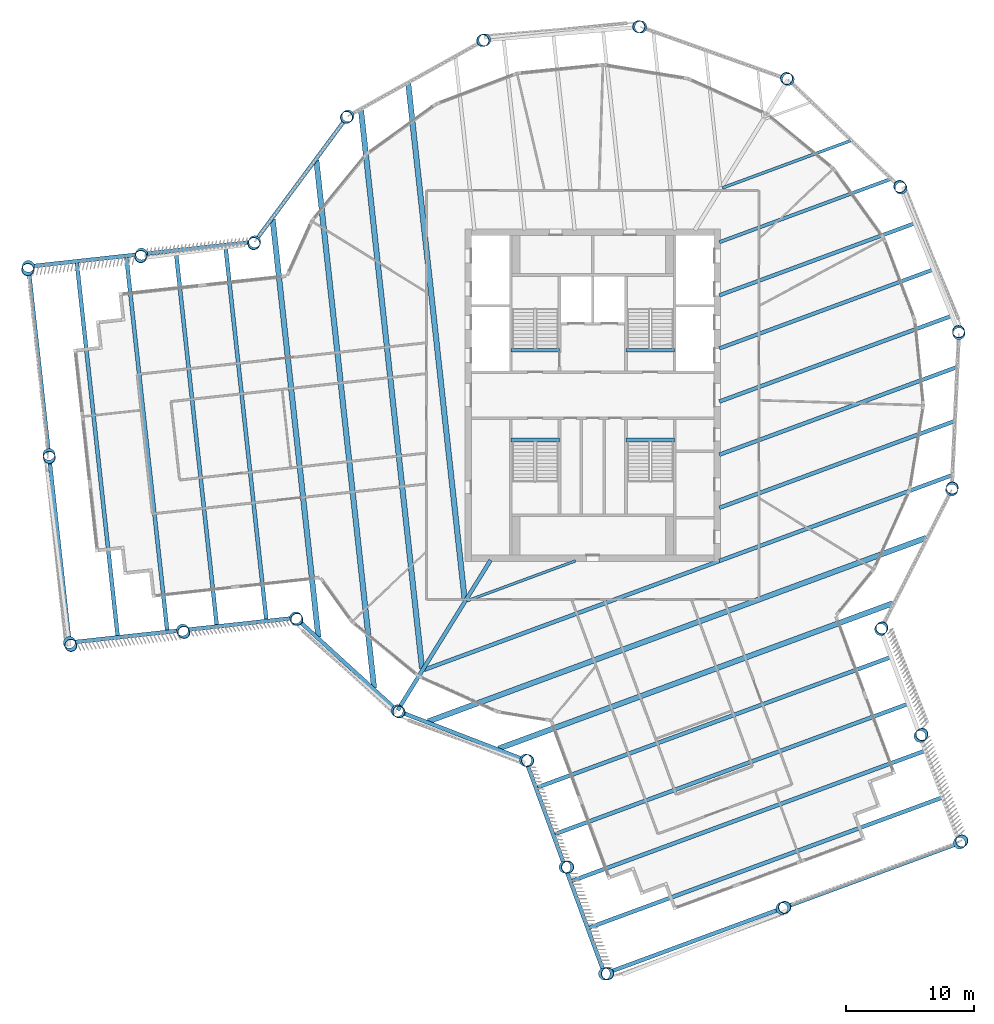
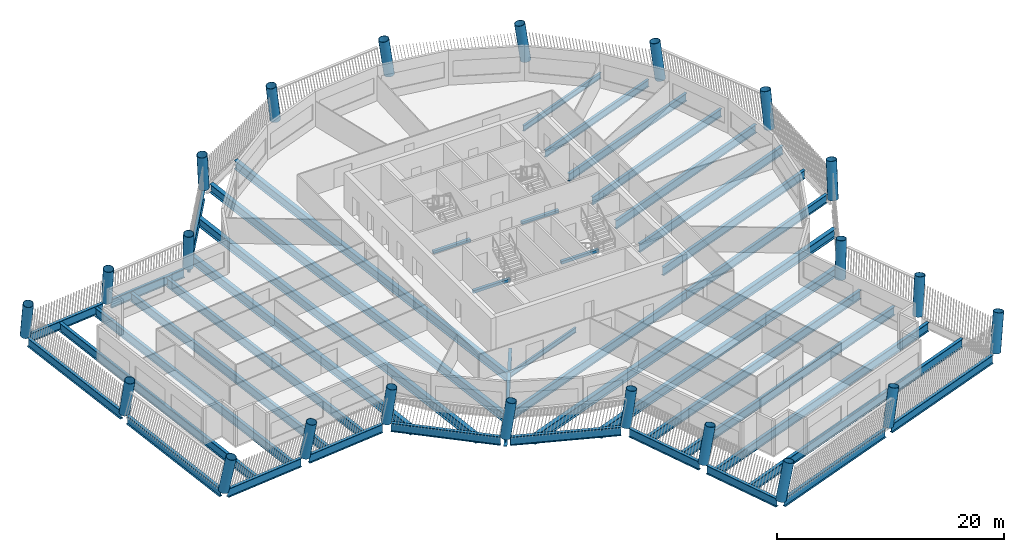
# One storey, part 1 of 14: 42 beams, 22 columns.
"""IFC4 building model written with IfcOpenShell, lengths in metres."""

from ifc_helpers import new_model, si_unit, direction, frame, origin, origin_2d, place, context, subcontext, project, spatial, rectangle, hollow_circle, i_section, extrude, material, material_profile, profile_set, type_object, element, save


model = new_model("IFC4")

# Units and contexts
model_context = context("Model", 3, precision=1e-05, world=origin(), true_north=direction((0.0, 1.0)))
body_context = subcontext(model_context, "Body", "Model", "MODEL_VIEW")
ifc_project = project(units=[si_unit("LENGTHUNIT", "METRE"), si_unit("AREAUNIT", "SQUARE_METRE"), si_unit("VOLUMEUNIT", "CUBIC_METRE"), si_unit("PLANEANGLEUNIT", "RADIAN"), si_unit("MASSUNIT", "GRAM", prefix="KILO")], contexts=[model_context])

# Site, building, storey
site_placement = place(None, origin())
site = spatial("IfcSite", under=ifc_project, at=site_placement, CompositionType="ELEMENT")
building_placement = place(site_placement, origin())
building = spatial("IfcBuilding", under=site, at=building_placement, Name="Tarsis Ring Headquarters", CompositionType="ELEMENT")
storey_placement = place(building_placement, frame((0.0, 0.0, 311.89990234375)))
storey = spatial("IfcBuildingStorey", under=building, at=storey_placement, Name="L73", CompositionType="ELEMENT", Elevation=311.89990234375)

# Columns
ifc_material_1 = material(Name="Structural steel S355", Category="steel")
ifc_material_profile_1 = material_profile(ifc_material_1, hollow_circle(Radius=0.482666015625, WallThickness=0.0400390625, at=origin_2d()), Name="CHS 965x40")
ifc_profile_set_1 = profile_set([ifc_material_profile_1], Name="Structural steel S355")
column_type = type_object("IfcColumnType", Name="XC Exo column CHS 965x40", PredefinedType="COLUMN", material=ifc_profile_set_1)
for number, where, z_axis, x_axis, name in (
    (1, (-15.289794921875, -24.698974609375, 0.001220703125), (0.114523967876, -0.069459252061, 0.990989239641), (0.518579000322, 0.85502971903, 0.0), "Exo column XC7 F1"),
    (2, (-5.23876953125, -28.572265625, 0.001220703125), (0.13202721245, -0.022966651907, 0.99097999378), (0.171380269545, 0.985204954926, 0.0), "Exo column XC7 AK"),
):
    element("IfcColumn", number, at=place(storey_placement, frame(where, z_axis=z_axis, x_axis=x_axis)), inside=storey, type_object=column_type, Name=name, PredefinedType="COLUMN", context=body_context, shape_type="SweptSolid", body=[
        extrude(hollow_circle(Radius=0.482666015625, WallThickness=0.0400390625, at=origin_2d()), origin(), (0.0, 0.0, 1.0), 3.93310546875),
    ])
column_1_placement = place(storey_placement, frame((-2.158935546875, -36.9248046875, 0.00146484375), z_axis=(0.169466846815, -0.008334435089, 0.985500646891), x_axis=(0.0491209592, 0.998792837062, 0.0)))
element("IfcColumn", 3, at=column_1_placement, inside=storey, type_object=column_type, Name="Exo column XC7 AI1", PredefinedType="COLUMN", context=body_context, shape_type="SweptSolid", body=[
    extrude(hollow_circle(Radius=0.482666015625, WallThickness=0.0400390625, at=origin_2d()), origin(), (0.0, 0.0, 1.0), 3.95458984375),
])
column_2_placement = place(storey_placement, frame((0.9208984375, -45.27734375, 0.001708984375), z_axis=(0.206170436244, 0.00606924567, 0.978497274128), x_axis=(-0.029425254642, 0.999566983443, 0.0)))
element("IfcColumn", 4, at=column_2_placement, inside=storey, type_object=column_type, Name="Exo column XC7 AT1", PredefinedType="COLUMN", context=body_context, shape_type="SweptSolid", body=[
    extrude(hollow_circle(Radius=0.482666015625, WallThickness=0.0400390625, at=origin_2d()), origin(), (0.0, 0.0, 1.0), 3.982421875),
])
column_3_placement = place(storey_placement, frame((14.80712890625, -40.156982421875, 0.00146484375), z_axis=(0.182655364597, 0.069240698251, 0.980735817379), x_axis=(-0.354464599085, 0.935069434853, 0.0)))
element("IfcColumn", 5, at=column_3_placement, inside=storey, type_object=column_type, Name="Exo column XC7 AT2", PredefinedType="COLUMN", context=body_context, shape_type="SweptSolid", body=[
    extrude(hollow_circle(Radius=0.482666015625, WallThickness=0.0400390625, at=origin_2d()), origin(), (0.0, 0.0, 1.0), 3.973876953125),
])
column_4_placement = place(storey_placement, frame((28.693115234375, -35.036865234375, 0.001708984375), z_axis=(0.158412992733, 0.132113002841, 0.97849449575), x_axis=(-0.64047668606, 0.767977613354, 0.0)))
element("IfcColumn", 6, at=column_4_placement, inside=storey, type_object=column_type, Name="Exo column XC7 AT3", PredefinedType="COLUMN", context=body_context, shape_type="SweptSolid", body=[
    extrude(hollow_circle(Radius=0.482666015625, WallThickness=0.0400390625, at=origin_2d()), origin(), (0.0, 0.0, 1.0), 3.982421875),
])
column_5_placement = place(storey_placement, frame((25.61328125, -26.684326171875, 0.00146484375), z_axis=(0.121312745403, 0.118596327694, 0.985503997384), x_axis=(-0.699055616215, 0.715067301334, 0.0)))
element("IfcColumn", 7, at=column_5_placement, inside=storey, type_object=column_type, Name="Exo column XC7 AO1", PredefinedType="COLUMN", context=body_context, shape_type="SweptSolid", body=[
    extrude(hollow_circle(Radius=0.482666015625, WallThickness=0.0400390625, at=origin_2d()), origin(), (0.0, 0.0, 1.0), 3.95458984375),
])
for number, where, z_axis, x_axis, name in (
    (8, (22.533447265625, -18.331787109375, 0.001220703125), (0.083611675518, 0.104654257553, 0.990987676055), (-0.781275522827, 0.62418631628, 0.0), "Exo column XC7 AJ"),
    (9, (28.08642578125, -7.4140625, 0.001220703125), (0.033022419154, 0.129855076824, 0.990982935704), (-0.969153528763, 0.246457780737, 0.0), "Exo column XC7 R1"),
    (10, (28.6455078125, 4.822021484375, 0.001220703125), (-0.023463342072, 0.131903708741, 0.990984804727), (-0.984544759685, -0.175133138429, 0.0), "Exo column XC7 R2"),
    (11, (24.111328125, 16.20068359375, 0.001220703125), (-0.075727976715, 0.110550431581, 0.990981269056), (-0.825000363397, -0.565132197273, 0.0), "Exo column XC7 R3"),
    (12, (15.289794921875, 24.698974609375, 0.001220703125), (-0.114523967876, 0.069459252061, 0.990989239641), (-0.518579000322, -0.85502971903, 0.0), "Exo column XC7 R4"),
    (13, (3.75, 28.805419921875, 0.001220703125), (-0.1330207491, 0.016076702761, 0.990982855521), (-0.119985484067, -0.992775646162, 0.0), "Exo column XC7 R5"),
    (14, (-8.456787109375, 27.790283203125, 0.001220703125), (-0.127807037894, -0.040160832208, 0.990985604649), (0.299778403904, -0.954008861884, 0.0), "Exo column XC7 R6"),
    (15, (-19.15966796875, 21.833984375, 0.001220703125), (-0.099935626812, -0.089321345952, 0.990976572705), (0.666402199885, -0.745592454353, 0.0), "Exo column XC7 R7"),
    (16, (-26.4560546875, 11.995361328125, 0.001220703125), (-0.054251005979, -0.122530304123, 0.990980904418), (0.914383686778, -0.404848704277, 0.0), "Exo column XC7 BJ"),
):
    element("IfcColumn", number, at=place(storey_placement, frame(where, z_axis=z_axis, x_axis=x_axis)), inside=storey, type_object=column_type, Name=name, PredefinedType="COLUMN", context=body_context, shape_type="SweptSolid", body=[
        extrude(hollow_circle(Radius=0.482666015625, WallThickness=0.0400390625, at=origin_2d()), origin(), (0.0, 0.0, 1.0), 3.93310546875),
    ])
column_6_placement = place(storey_placement, frame((-35.3056640625, 11.027587890625, 0.00146484375), z_axis=(-0.049080966727, -0.162368481123, 0.985508769643), x_axis=(0.957223149807, -0.289350723991, 0.0)))
element("IfcColumn", 17, at=column_6_placement, inside=storey, type_object=column_type, Name="Exo column XC7 BO1", PredefinedType="COLUMN", context=body_context, shape_type="SweptSolid", body=[
    extrude(hollow_circle(Radius=0.482666015625, WallThickness=0.0400390625, at=origin_2d()), origin(), (0.0, 0.0, 1.0), 3.95458984375),
])
column_7_placement = place(storey_placement, frame((-44.1552734375, 10.059814453125, 0.001708984375), z_axis=(-0.04395668678, -0.20145282114, 0.978511405423), x_axis=(0.977012383652, -0.213182556019, 0.0)))
element("IfcColumn", 18, at=column_7_placement, inside=storey, type_object=column_type, Name="Exo column XC7 BT3", PredefinedType="COLUMN", context=body_context, shape_type="SweptSolid", body=[
    extrude(hollow_circle(Radius=0.482666015625, WallThickness=0.0400390625, at=origin_2d()), origin(), (0.0, 0.0, 1.0), 3.982421875),
])
column_8_placement = place(storey_placement, frame((-42.54638671875, -4.65234375, 0.00146484375), z_axis=(0.022977663294, -0.194019948345, 0.980728446938), x_axis=(0.993060156752, 0.117607504315, 0.0)))
element("IfcColumn", 19, at=column_8_placement, inside=storey, type_object=column_type, Name="Exo column XC7 BT2", PredefinedType="COLUMN", context=body_context, shape_type="SweptSolid", body=[
    extrude(hollow_circle(Radius=0.482666015625, WallThickness=0.0400390625, at=origin_2d()), origin(), (0.0, 0.0, 1.0), 3.973876953125),
])
column_9_placement = place(storey_placement, frame((-40.9375, -19.36474609375, 0.001708984375), z_axis=(0.089874155616, -0.185633658394, 0.978500271346), x_axis=(0.900061483372, 0.435762924248, 0.0)))
element("IfcColumn", 20, at=column_9_placement, inside=storey, type_object=column_type, Name="Exo column XC7 BT1", PredefinedType="COLUMN", context=body_context, shape_type="SweptSolid", body=[
    extrude(hollow_circle(Radius=0.482666015625, WallThickness=0.0400390625, at=origin_2d()), origin(), (0.0, 0.0, 1.0), 3.982421875),
])
column_10_placement = place(storey_placement, frame((-32.088134765625, -18.39697265625, 0.00146484375), z_axis=(0.085690392612, -0.146439201207, 0.98550125163), x_axis=(0.86309184337, 0.505046997722, 0.0)))
element("IfcColumn", 21, at=column_10_placement, inside=storey, type_object=column_type, Name="Exo column XC7 BI1", PredefinedType="COLUMN", context=body_context, shape_type="SweptSolid", body=[
    extrude(hollow_circle(Radius=0.482666015625, WallThickness=0.0400390625, at=origin_2d()), origin(), (0.0, 0.0, 1.0), 3.95458984375),
])
column_11_placement = place(storey_placement, frame((-23.23876953125, -17.42919921875, 0.001220703125), z_axis=(0.081376603972, -0.106453757293, 0.990982061333), x_axis=(0.794463011785, 0.60731254137, 0.0)))
element("IfcColumn", 22, at=column_11_placement, inside=storey, type_object=column_type, Name="Exo column XC7 BK", PredefinedType="COLUMN", context=body_context, shape_type="SweptSolid", body=[
    extrude(hollow_circle(Radius=0.482666015625, WallThickness=0.0400390625, at=origin_2d()), origin(), (0.0, 0.0, 1.0), 3.93310546875),
])

# Beams
ifc_material_profile_2 = material_profile(ifc_material_1, i_section(OverallWidth=0.209228515625, OverallDepth=0.533447265625, WebThickness=0.01025390625, FlangeThickness=0.015625, at=origin_2d()), Name="W21x62")
ifc_profile_set_2 = profile_set([ifc_material_profile_2], Name="Structural steel S355")
beam_type_1 = type_object("IfcBeamType", Name="FB Floor beam W21x62", PredefinedType="JOIST", material=ifc_profile_set_2)
beam_1_placement = place(storey_placement, frame((-9.860595703125, -16.105712890625, -0.426513671875), z_axis=(0.93825354519, 0.34594838479, 0.0), x_axis=(-0.34594838479, 0.93825354519, 0.0)))
element("IfcBeam", 23, at=beam_1_placement, inside=storey, type_object=beam_type_1, Name="Floor beam FB3", PredefinedType="JOIST", context=body_context, shape_type="SweptSolid", body=[
    extrude(i_section(OverallWidth=0.209228515625, OverallDepth=0.533447265625, WebThickness=0.01025390625, FlangeThickness=0.015625, at=origin_2d()), origin(), (0.0, 0.0, 1.0), 9.07763671875),
])
ifc_material_profile_3 = material_profile(ifc_material_1, i_section(OverallWidth=0.228271484375, OverallDepth=0.607177734375, WebThickness=0.01123046875, FlangeThickness=0.017333984375, at=origin_2d()), Name="W24x76")
ifc_profile_set_3 = profile_set([ifc_material_profile_3], Name="Structural steel S355")
beam_type_2 = type_object("IfcBeamType", Name="FB Floor beam W24x76", PredefinedType="JOIST", material=ifc_profile_set_3)
beam_2_placement = place(storey_placement, frame((10.145263671875, 16.210693359375, -0.46337890625), z_axis=(0.938247503033, 0.345964771405, 0.0), x_axis=(-0.345964771405, 0.938247503033, 0.0)))
element("IfcBeam", 24, at=beam_2_placement, inside=storey, type_object=beam_type_2, Name="Floor beam FB4", PredefinedType="JOIST", context=body_context, shape_type="SweptSolid", body=[
    extrude(i_section(OverallWidth=0.228271484375, OverallDepth=0.607177734375, WebThickness=0.01123046875, FlangeThickness=0.017333984375, at=origin_2d()), origin(), (0.0, 0.0, 1.0), 10.684814453125),
])
ifc_material_profile_4 = material_profile(ifc_material_1, i_section(OverallWidth=0.2666015625, OverallDepth=0.7568359375, WebThickness=0.013916015625, FlangeThickness=0.019287109375, at=origin_2d()), Name="W30x108")
ifc_profile_set_4 = profile_set([ifc_material_profile_4], Name="Structural steel S355")
beam_type_3 = type_object("IfcBeamType", Name="FB Floor beam W30x108", PredefinedType="JOIST", material=ifc_profile_set_4)
beam_3_placement = place(storey_placement, frame((9.90625, 11.966064453125, -0.538330078125), z_axis=(0.938251918092, 0.345952797642, 0.0), x_axis=(-0.345952797642, 0.938251918092, 0.0)))
element("IfcBeam", 25, at=beam_3_placement, inside=storey, type_object=beam_type_3, Name="Floor beam FB6", PredefinedType="JOIST", context=body_context, shape_type="SweptSolid", body=[
    extrude(i_section(OverallWidth=0.2666015625, OverallDepth=0.7568359375, WebThickness=0.013916015625, FlangeThickness=0.019287109375, at=origin_2d()), origin(), (0.0, 0.0, 1.0), 14.26513671875),
])
ifc_material_profile_5 = material_profile(ifc_material_1, i_section(OverallWidth=0.2919921875, OverallDepth=0.835693359375, WebThickness=0.013916015625, FlangeThickness=0.018798828125, at=origin_2d()), Name="W33x118")
ifc_profile_set_5 = profile_set([ifc_material_profile_5], Name="Structural steel S355")
beam_type_4 = type_object("IfcBeamType", Name="FB Floor beam W33x118", PredefinedType="JOIST", material=ifc_profile_set_5)
beam_4_placement = place(storey_placement, frame((9.90625, 7.809326171875, -0.57763671875), z_axis=(0.938253321566, 0.345948991285, 0.0), x_axis=(-0.345948991285, 0.938253321566, 0.0)))
element("IfcBeam", 26, at=beam_4_placement, inside=storey, type_object=beam_type_4, Name="Floor beam FB7", PredefinedType="JOIST", context=body_context, shape_type="SweptSolid", body=[
    extrude(i_section(OverallWidth=0.2919921875, OverallDepth=0.835693359375, WebThickness=0.013916015625, FlangeThickness=0.018798828125, at=origin_2d()), origin(), (0.0, 0.0, 1.0), 16.252685546875),
])
beam_5_placement = place(storey_placement, frame((9.90625, 3.652587890625, -0.57763671875), z_axis=(0.938250309432, 0.345957160428, 0.0), x_axis=(-0.345957160428, 0.938250309432, 0.0)))
element("IfcBeam", 27, at=beam_5_placement, inside=storey, type_object=beam_type_4, Name="Floor beam FB7", PredefinedType="JOIST", context=body_context, shape_type="SweptSolid", body=[
    extrude(i_section(OverallWidth=0.2919921875, OverallDepth=0.835693359375, WebThickness=0.013916015625, FlangeThickness=0.018798828125, at=origin_2d()), origin(), (0.0, 0.0, 1.0), 17.7919921875),
])
ifc_material_profile_6 = material_profile(ifc_material_1, i_section(OverallWidth=0.3046875, OverallDepth=0.904296875, WebThickness=0.01513671875, FlangeThickness=0.02001953125, at=origin_2d()), Name="W36x135")
ifc_profile_set_6 = profile_set([ifc_material_profile_6], Name="Structural steel S355")
beam_type_5 = type_object("IfcBeamType", Name="FB Floor beam W36x135", PredefinedType="JOIST", material=ifc_profile_set_6)
beam_6_placement = place(storey_placement, frame((9.90625, -0.504150390625, -0.612060546875), z_axis=(0.93825036483, 0.345957010187, 0.0), x_axis=(-0.345957010187, 0.93825036483, 0.0)))
element("IfcBeam", 28, at=beam_6_placement, inside=storey, type_object=beam_type_5, Name="Floor beam FB8", PredefinedType="JOIST", context=body_context, shape_type="SweptSolid", body=[
    extrude(i_section(OverallWidth=0.3046875, OverallDepth=0.904296875, WebThickness=0.01513671875, FlangeThickness=0.02001953125, at=origin_2d()), origin(), (0.0, 0.0, 1.0), 19.3310546875),
])
beam_7_placement = place(storey_placement, frame((9.90625, -4.66064453125, -0.612060546875), z_axis=(0.938252877629, 0.345950195288, 0.0), x_axis=(-0.345950195288, 0.938252877629, 0.0)))
element("IfcBeam", 29, at=beam_7_placement, inside=storey, type_object=beam_type_5, Name="Floor beam FB8", PredefinedType="JOIST", context=body_context, shape_type="SweptSolid", body=[
    extrude(i_section(OverallWidth=0.3046875, OverallDepth=0.904296875, WebThickness=0.01513671875, FlangeThickness=0.02001953125, at=origin_2d()), origin(), (0.0, 0.0, 1.0), 19.77685546875),
])
beam_8_placement = place(storey_placement, frame((9.90625, -8.8173828125, -0.612060546875), z_axis=(0.938250223445, 0.345957393626, 0.0), x_axis=(-0.345957393626, 0.938250223445, 0.0)))
element("IfcBeam", 30, at=beam_8_placement, inside=storey, type_object=beam_type_5, Name="Floor beam FB8", PredefinedType="JOIST", context=body_context, shape_type="SweptSolid", body=[
    extrude(i_section(OverallWidth=0.3046875, OverallDepth=0.904296875, WebThickness=0.01513671875, FlangeThickness=0.02001953125, at=origin_2d()), origin(), (0.0, 0.0, 1.0), 19.571044921875),
])
beam_9_placement = place(storey_placement, frame((9.90625, -12.97412109375, -0.612060546875), z_axis=(0.938251605032, 0.345953646686, 0.0), x_axis=(-0.345953646686, 0.938251605032, 0.0)))
element("IfcBeam", 31, at=beam_9_placement, inside=storey, type_object=beam_type_5, Name="Floor beam FB8", PredefinedType="JOIST", context=body_context, shape_type="SweptSolid", body=[
    extrude(i_section(OverallWidth=0.3046875, OverallDepth=0.904296875, WebThickness=0.01513671875, FlangeThickness=0.02001953125, at=origin_2d()), origin(), (0.0, 0.0, 1.0), 19.365234375),
])
ifc_material_profile_7 = material_profile(ifc_material_1, i_section(OverallWidth=0.309814453125, OverallDepth=0.93212890625, WebThickness=0.02099609375, FlangeThickness=0.034423828125, at=origin_2d()), Name="W36x210")
ifc_profile_set_7 = profile_set([ifc_material_profile_7], Name="Structural steel S355")
beam_type_6 = type_object("IfcBeamType", Name="FB Floor beam W36x210", PredefinedType="JOIST", material=ifc_profile_set_7)
beam_10_placement = place(storey_placement, frame((-13.195068359375, -21.491943359375, -0.6259765625), z_axis=(0.93825142051, 0.345954147123, 0.0), x_axis=(-0.345954147123, 0.93825142051, 0.0)))
element("IfcBeam", 32, at=beam_10_placement, inside=storey, type_object=beam_type_6, Name="Floor beam FB10", PredefinedType="JOIST", context=body_context, shape_type="SweptSolid", body=[
    extrude(i_section(OverallWidth=0.309814453125, OverallDepth=0.93212890625, WebThickness=0.02099609375, FlangeThickness=0.034423828125, at=origin_2d()), origin(), (0.0, 0.0, 1.0), 24.646728515625),
])
ifc_material_profile_8 = material_profile(ifc_material_1, i_section(OverallWidth=0.309814453125, OverallDepth=0.949951171875, WebThickness=0.0244140625, FlangeThickness=0.0439453125, at=origin_2d()), Name="W36x256")
ifc_profile_set_8 = profile_set([ifc_material_profile_8], Name="Structural steel S355")
beam_type_7 = type_object("IfcBeamType", Name="FB Floor beam W36x256", PredefinedType="JOIST", material=ifc_profile_set_8)
for number, where, z_axis, x_axis, name in (
    (33, (-4.39013671875, -30.71533203125, -0.635009765625), (0.938252483058, 0.345951265404, 0.0), (-0.345951265404, 0.938252483058, 0.0), "Floor beam FB11"),
    (34, (-3.040771484375, -34.37451171875, -0.635009765625), (0.938252483058, 0.345951265404, 0.0), (-0.345951265404, 0.938252483058, 0.0), "Floor beam FB11"),
    (35, (-1.691650390625, -38.03369140625, -0.635009765625), (0.938252483058, 0.345951265404, 0.0), (-0.345951265404, 0.938252483058, 0.0), "Floor beam FB11"),
):
    element("IfcBeam", number, at=place(storey_placement, frame(where, z_axis=z_axis, x_axis=x_axis)), inside=storey, type_object=beam_type_7, Name=name, PredefinedType="JOIST", context=body_context, shape_type="SweptSolid", body=[
        extrude(i_section(OverallWidth=0.309814453125, OverallDepth=0.949951171875, WebThickness=0.0244140625, FlangeThickness=0.0439453125, at=origin_2d()), origin(), (0.0, 0.0, 1.0), 29.490234375),
    ])
beam_11_placement = place(storey_placement, frame((-0.34228515625, -41.69287109375, -0.635009765625), z_axis=(0.93825149223, 0.345953952611, 0.0), x_axis=(-0.345953952611, 0.93825149223, 0.0)))
element("IfcBeam", 36, at=beam_11_placement, inside=storey, type_object=beam_type_7, Name="Floor beam FB11", PredefinedType="JOIST", context=body_context, shape_type="SweptSolid", body=[
    extrude(i_section(OverallWidth=0.309814453125, OverallDepth=0.949951171875, WebThickness=0.0244140625, FlangeThickness=0.0439453125, at=origin_2d()), origin(), (0.0, 0.0, 1.0), 29.489990234375),
])
beam_12_placement = place(storey_placement, frame((-28.740966796875, 11.6904296875, -0.635009765625), z_axis=(0.108691311288, -0.994075549871, 0.0), x_axis=(0.994075549871, 0.108691311288, 0.0)))
element("IfcBeam", 37, at=beam_12_placement, inside=storey, type_object=beam_type_7, Name="Floor beam FB11", PredefinedType="JOIST", context=body_context, shape_type="SweptSolid", body=[
    extrude(i_section(OverallWidth=0.309814453125, OverallDepth=0.949951171875, WebThickness=0.0244140625, FlangeThickness=0.0439453125, at=origin_2d()), origin(), (0.0, 0.0, 1.0), 29.490234375),
])
beam_13_placement = place(storey_placement, frame((-32.617919921875, 11.266357421875, -0.635009765625), z_axis=(0.108700386761, -0.994074557525, 0.0), x_axis=(0.994074557525, 0.108700386761, 0.0)))
element("IfcBeam", 38, at=beam_13_placement, inside=storey, type_object=beam_type_7, Name="Floor beam FB11", PredefinedType="JOIST", context=body_context, shape_type="SweptSolid", body=[
    extrude(i_section(OverallWidth=0.309814453125, OverallDepth=0.949951171875, WebThickness=0.0244140625, FlangeThickness=0.0439453125, at=origin_2d()), origin(), (0.0, 0.0, 1.0), 29.489990234375),
])
for number, where, z_axis, x_axis, name in (
    (39, (-36.49462890625, 10.842529296875, -0.635009765625), (0.108691311288, -0.994075549871, 0.0), (0.994075549871, 0.108691311288, 0.0), "Floor beam FB11"),
    (40, (-40.37158203125, 10.418701171875, -0.635009765625), (0.108691311288, -0.994075549871, 0.0), (0.994075549871, 0.108691311288, 0.0), "Floor beam FB11"),
):
    element("IfcBeam", number, at=place(storey_placement, frame(where, z_axis=z_axis, x_axis=x_axis)), inside=storey, type_object=beam_type_7, Name=name, PredefinedType="JOIST", context=body_context, shape_type="SweptSolid", body=[
        extrude(i_section(OverallWidth=0.309814453125, OverallDepth=0.949951171875, WebThickness=0.0244140625, FlangeThickness=0.0439453125, at=origin_2d()), origin(), (0.0, 0.0, 1.0), 29.490234375),
    ])
beam_type_8 = type_object("IfcBeamType", Name="FB Floor beam W36x256 spine", PredefinedType="BEAM", material=ifc_profile_set_8)
beam_14_placement = place(storey_placement, frame((-7.9951171875, -12.9150390625, -0.635009765625), z_axis=(-0.526373493123, -0.850253459704, 0.0), x_axis=(0.850253459704, -0.526373493123, 0.0)))
element("IfcBeam", 41, at=beam_14_placement, inside=storey, type_object=beam_type_8, Name="Floor beam SB11", PredefinedType="BEAM", context=body_context, shape_type="SweptSolid", body=[
    extrude(i_section(OverallWidth=0.309814453125, OverallDepth=0.949951171875, WebThickness=0.0244140625, FlangeThickness=0.0439453125, at=origin_2d()), origin(), (0.0, 0.0, 1.0), 13.80126953125),
])
ifc_material_profile_9 = material_profile(ifc_material_1, i_section(OverallWidth=0.42431640625, OverallDepth=0.947509765625, WebThickness=0.02392578125, FlangeThickness=0.042724609375, at=origin_2d()), Name="W36x302")
ifc_profile_set_9 = profile_set([ifc_material_profile_9], Name="Structural steel S355")
beam_type_9 = type_object("IfcBeamType", Name="FB Floor beam W36x302", PredefinedType="JOIST", material=ifc_profile_set_9)
beam_15_placement = place(storey_placement, frame((-12.879638671875, -25.532470703125, -0.633544921875), z_axis=(0.938250128901, 0.345957650033, 0.0), x_axis=(-0.345957650033, 0.938250128901, 0.0)))
element("IfcBeam", 42, at=beam_15_placement, inside=storey, type_object=beam_type_9, Name="Floor beam FB12", PredefinedType="JOIST", context=body_context, shape_type="SweptSolid", body=[
    extrude(i_section(OverallWidth=0.42431640625, OverallDepth=0.947509765625, WebThickness=0.02392578125, FlangeThickness=0.042724609375, at=origin_2d()), origin(), (0.0, 0.0, 1.0), 41.52392578125),
])
beam_16_placement = place(storey_placement, frame((-7.367431640625, -27.656494140625, -0.633544921875), z_axis=(0.938251668256, 0.345953475216, 0.0), x_axis=(-0.345953475216, 0.938251668256, 0.0)))
element("IfcBeam", 43, at=beam_16_placement, inside=storey, type_object=beam_type_9, Name="Floor beam FB12", PredefinedType="JOIST", context=body_context, shape_type="SweptSolid", body=[
    extrude(i_section(OverallWidth=0.42431640625, OverallDepth=0.947509765625, WebThickness=0.02392578125, FlangeThickness=0.042724609375, at=origin_2d()), origin(), (0.0, 0.0, 1.0), 32.875244140625),
])
beam_17_placement = place(storey_placement, frame((-14.4365234375, 24.390625, -0.633544921875), z_axis=(0.108688653037, -0.994075840518, 0.0), x_axis=(0.994075840518, 0.108688653037, 0.0)))
element("IfcBeam", 44, at=beam_17_placement, inside=storey, type_object=beam_type_9, Name="Floor beam FB12", PredefinedType="JOIST", context=body_context, shape_type="SweptSolid", body=[
    extrude(i_section(OverallWidth=0.42431640625, OverallDepth=0.947509765625, WebThickness=0.02392578125, FlangeThickness=0.042724609375, at=origin_2d()), origin(), (0.0, 0.0, 1.0), 40.638916015625),
])
beam_18_placement = place(storey_placement, frame((-18.134765625, 22.33251953125, -0.633544921875), z_axis=(0.108692140333, -0.994075459223, 0.0), x_axis=(0.994075459223, 0.108692140333, 0.0)))
element("IfcBeam", 45, at=beam_18_placement, inside=storey, type_object=beam_type_9, Name="Floor beam FB12", PredefinedType="JOIST", context=body_context, shape_type="SweptSolid", body=[
    extrude(i_section(OverallWidth=0.42431640625, OverallDepth=0.947509765625, WebThickness=0.02392578125, FlangeThickness=0.042724609375, at=origin_2d()), origin(), (0.0, 0.0, 1.0), 43.986572265625),
])
beam_19_placement = place(storey_placement, frame((-21.624267578125, 18.36474609375, -0.633544921875), z_axis=(0.10869481767, -0.99407516648, 0.0), x_axis=(0.99407516648, 0.10869481767, 0.0)))
element("IfcBeam", 46, at=beam_19_placement, inside=storey, type_object=beam_type_9, Name="Floor beam FB12", PredefinedType="JOIST", context=body_context, shape_type="SweptSolid", body=[
    extrude(i_section(OverallWidth=0.42431640625, OverallDepth=0.947509765625, WebThickness=0.02392578125, FlangeThickness=0.042724609375, at=origin_2d()), origin(), (0.0, 0.0, 1.0), 41.52392578125),
])
beam_20_placement = place(storey_placement, frame((-25.04345703125, 13.75439453125, -0.633544921875), z_axis=(0.108697696137, -0.994074851736, 0.0), x_axis=(0.994074851736, 0.108697696137, 0.0)))
element("IfcBeam", 47, at=beam_20_placement, inside=storey, type_object=beam_type_9, Name="Floor beam FB12", PredefinedType="JOIST", context=body_context, shape_type="SweptSolid", body=[
    extrude(i_section(OverallWidth=0.42431640625, OverallDepth=0.947509765625, WebThickness=0.02392578125, FlangeThickness=0.042724609375, at=origin_2d()), origin(), (0.0, 0.0, 1.0), 32.87548828125),
])
ifc_material_2 = material(Name="Concrete C40/50", Category="concrete")
ifc_material_profile_10 = material_profile(ifc_material_2, rectangle(XDim=0.300048828125, YDim=0.300048828125, at=origin_2d()), Name="Stair head beam 300x300 C40/50")
ifc_profile_set_10 = profile_set([ifc_material_profile_10], Name="Concrete C40/50")
beam_type_10 = type_object("IfcBeamType", Name="Stair head beam 300x300 C40/50", PredefinedType="BEAM", material=ifc_profile_set_10)
for number, where, z_axis, x_axis, name in (
    (48, (-6.39990234375, 3.510009765625, -0.309814453125), (1.0, 0.0, 0.0), (0.0, 1.0, 0.0), "Stair head beam L73 Firefighting stair"),
    (49, (2.60009765625, 3.510009765625, -0.309814453125), (1.0, 0.0, 0.0), (0.0, 1.0, 0.0), "Stair head beam L73 Exit stair B"),
    (50, (-6.39990234375, -3.510009765625, -0.309814453125), (1.0, 0.0, 0.0), (0.0, 1.0, 0.0), "Stair head beam L73 Exit stair C"),
    (51, (2.60009765625, -3.510009765625, -0.309814453125), (1.0, 0.0, 0.0), (0.0, 1.0, 0.0), "Stair head beam L73 Exit stair D"),
):
    element("IfcBeam", number, at=place(storey_placement, frame(where, z_axis=z_axis, x_axis=x_axis)), inside=storey, type_object=beam_type_10, Name=name, PredefinedType="BEAM", context=body_context, shape_type="SweptSolid", body=[
        extrude(rectangle(XDim=0.300048828125, YDim=0.300048828125, at=origin_2d()), origin(), (0.0, 0.0, 1.0), 3.7998046875),
    ])
beam_type_11 = type_object("IfcBeamType", Name="XG Ring girder W36x210", PredefinedType="BEAM", material=ifc_profile_set_7)
beam_21_placement = place(storey_placement, frame((-14.884765625, -24.85498046875, -0.466064453125), z_axis=(0.933111587064, -0.359586938148, 0.0), x_axis=(0.359586938148, 0.933111587064, 0.0)))
element("IfcBeam", 52, at=beam_21_placement, inside=storey, type_object=beam_type_11, Name="Ring girder XG3", PredefinedType="BEAM", context=body_context, shape_type="SweptSolid", body=[
    extrude(i_section(OverallWidth=0.309814453125, OverallDepth=0.93212890625, WebThickness=0.02099609375, FlangeThickness=0.034423828125, at=origin_2d()), origin(), (0.0, 0.0, 1.0), 9.903076171875),
])
for number, where, z_axis, x_axis, name in (
    (53, (-5.088623046875, -28.979736328125, -0.466064453125), (0.345956024223, -0.938250728379, 0.0), (0.938250728379, 0.345956024223, 0.0), "Ring girder XG3"),
    (54, (-2.0087890625, -37.332275390625, -0.466064453125), (0.345956024223, -0.938250728379, 0.0), (0.938250728379, 0.345956024223, 0.0), "Ring girder XG3"),
):
    element("IfcBeam", number, at=place(storey_placement, frame(where, z_axis=z_axis, x_axis=x_axis)), inside=storey, type_object=beam_type_11, Name=name, PredefinedType="BEAM", context=body_context, shape_type="SweptSolid", body=[
        extrude(i_section(OverallWidth=0.309814453125, OverallDepth=0.93212890625, WebThickness=0.02099609375, FlangeThickness=0.034423828125, at=origin_2d()), origin(), (0.0, 0.0, 1.0), 8.03369140625),
    ])
for number, where, z_axis, x_axis, name in (
    (55, (1.328125, -45.126953125, -0.466064453125), (0.938251528369, 0.345953854602, 0.0), (-0.345953854602, 0.938251528369, 0.0), "Ring girder XG3"),
    (56, (15.21435546875, -40.0068359375, -0.466064453125), (0.938251528369, 0.345953854602, 0.0), (-0.345953854602, 0.938251528369, 0.0), "Ring girder XG3"),
):
    element("IfcBeam", number, at=place(storey_placement, frame(where, z_axis=z_axis, x_axis=x_axis)), inside=storey, type_object=beam_type_11, Name=name, PredefinedType="BEAM", context=body_context, shape_type="SweptSolid", body=[
        extrude(i_section(OverallWidth=0.309814453125, OverallDepth=0.93212890625, WebThickness=0.02099609375, FlangeThickness=0.034423828125, at=origin_2d()), origin(), (0.0, 0.0, 1.0), 13.931396484375),
    ])
beam_22_placement = place(storey_placement, frame((-19.41845703125, 21.485107421875, -0.466064453125), z_axis=(-0.595669711949, -0.803229477962, 0.0), x_axis=(0.803229477962, -0.595669711949, 0.0)))
element("IfcBeam", 57, at=beam_22_placement, inside=storey, type_object=beam_type_11, Name="Ring girder XG3", PredefinedType="BEAM", context=body_context, shape_type="SweptSolid", body=[
    extrude(i_section(OverallWidth=0.309814453125, OverallDepth=0.93212890625, WebThickness=0.02099609375, FlangeThickness=0.034423828125, at=origin_2d()), origin(), (0.0, 0.0, 1.0), 11.380126953125),
])
beam_23_placement = place(storey_placement, frame((-26.887939453125, 11.9482421875, -0.466064453125), z_axis=(-0.994073847123, -0.108706883252, 0.0), x_axis=(0.108706883252, -0.994073847123, 0.0)))
element("IfcBeam", 58, at=beam_23_placement, inside=storey, type_object=beam_type_11, Name="Ring girder XG3", PredefinedType="BEAM", context=body_context, shape_type="SweptSolid", body=[
    extrude(i_section(OverallWidth=0.309814453125, OverallDepth=0.93212890625, WebThickness=0.02099609375, FlangeThickness=0.034423828125, at=origin_2d()), origin(), (0.0, 0.0, 1.0), 8.033447265625),
])
beam_24_placement = place(storey_placement, frame((-35.7373046875, 10.980712890625, -0.466064453125), z_axis=(-0.994074206237, -0.10870359927, 0.0), x_axis=(0.10870359927, -0.994074206237, 0.0)))
element("IfcBeam", 59, at=beam_24_placement, inside=storey, type_object=beam_type_11, Name="Ring girder XG3", PredefinedType="BEAM", context=body_context, shape_type="SweptSolid", body=[
    extrude(i_section(OverallWidth=0.309814453125, OverallDepth=0.93212890625, WebThickness=0.02099609375, FlangeThickness=0.034423828125, at=origin_2d()), origin(), (0.0, 0.0, 1.0), 8.03369140625),
])
beam_25_placement = place(storey_placement, frame((-44.10791015625, 9.62841796875, -0.466064453125), z_axis=(0.108688708924, -0.994075834407, 0.0), x_axis=(0.994075834407, 0.108688708924, 0.0)))
element("IfcBeam", 60, at=beam_25_placement, inside=storey, type_object=beam_type_11, Name="Ring girder XG3", PredefinedType="BEAM", context=body_context, shape_type="SweptSolid", body=[
    extrude(i_section(OverallWidth=0.309814453125, OverallDepth=0.93212890625, WebThickness=0.02099609375, FlangeThickness=0.034423828125, at=origin_2d()), origin(), (0.0, 0.0, 1.0), 13.93115234375),
])
beam_26_placement = place(storey_placement, frame((-42.499267578125, -5.083740234375, -0.466064453125), z_axis=(0.10870413291, -0.994074147882, 0.0), x_axis=(0.994074147882, 0.10870413291, 0.0)))
element("IfcBeam", 61, at=beam_26_placement, inside=storey, type_object=beam_type_11, Name="Ring girder XG3", PredefinedType="BEAM", context=body_context, shape_type="SweptSolid", body=[
    extrude(i_section(OverallWidth=0.309814453125, OverallDepth=0.93212890625, WebThickness=0.02099609375, FlangeThickness=0.034423828125, at=origin_2d()), origin(), (0.0, 0.0, 1.0), 13.931396484375),
])
beam_27_placement = place(storey_placement, frame((-40.506103515625, -19.317138671875, -0.466064453125), z_axis=(0.994077489678, 0.108673568619, 0.0), x_axis=(-0.108673568619, 0.994077489678, 0.0)))
element("IfcBeam", 62, at=beam_27_placement, inside=storey, type_object=beam_type_11, Name="Ring girder XG3", PredefinedType="BEAM", context=body_context, shape_type="SweptSolid", body=[
    extrude(i_section(OverallWidth=0.309814453125, OverallDepth=0.93212890625, WebThickness=0.02099609375, FlangeThickness=0.034423828125, at=origin_2d()), origin(), (0.0, 0.0, 1.0), 8.03369140625),
])
beam_28_placement = place(storey_placement, frame((-31.656494140625, -18.349609375, -0.466064453125), z_axis=(0.994073847123, 0.108706883252, 0.0), x_axis=(-0.108706883252, 0.994073847123, 0.0)))
element("IfcBeam", 63, at=beam_28_placement, inside=storey, type_object=beam_type_11, Name="Ring girder XG3", PredefinedType="BEAM", context=body_context, shape_type="SweptSolid", body=[
    extrude(i_section(OverallWidth=0.309814453125, OverallDepth=0.93212890625, WebThickness=0.02099609375, FlangeThickness=0.034423828125, at=origin_2d()), origin(), (0.0, 0.0, 1.0), 8.033447265625),
])
beam_29_placement = place(storey_placement, frame((-22.918212890625, -17.722412109375, -0.466064453125), z_axis=(0.73792321791, -0.67488467494, 0.0), x_axis=(0.67488467494, 0.73792321791, 0.0)))
element("IfcBeam", 64, at=beam_29_placement, inside=storey, type_object=beam_type_11, Name="Ring girder XG3", PredefinedType="BEAM", context=body_context, shape_type="SweptSolid", body=[
    extrude(i_section(OverallWidth=0.309814453125, OverallDepth=0.93212890625, WebThickness=0.02099609375, FlangeThickness=0.034423828125, at=origin_2d()), origin(), (0.0, 0.0, 1.0), 9.90283203125),
])

save(model, "model.ifc")
